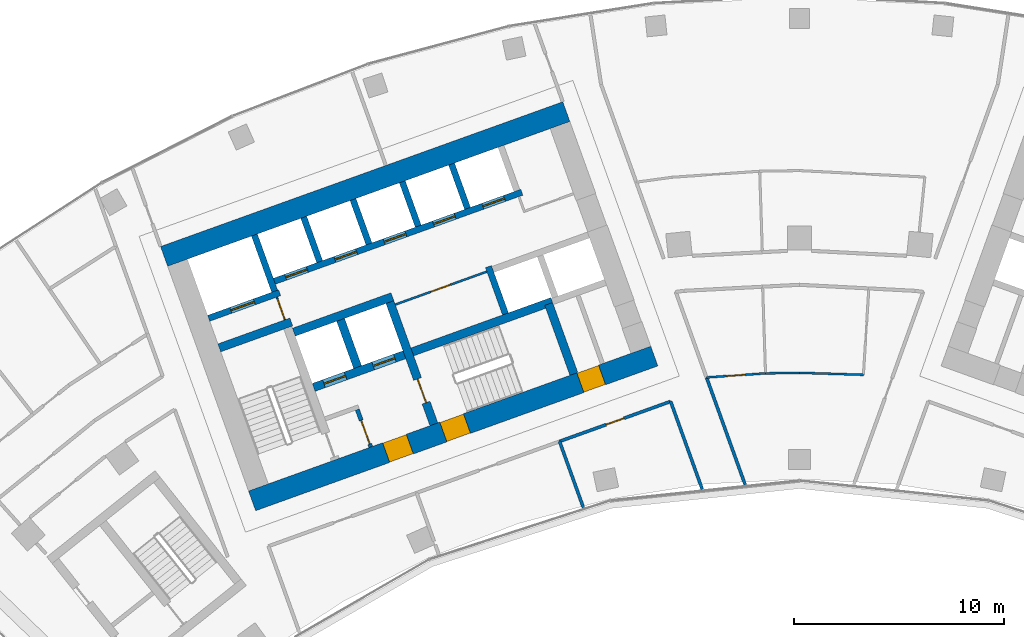
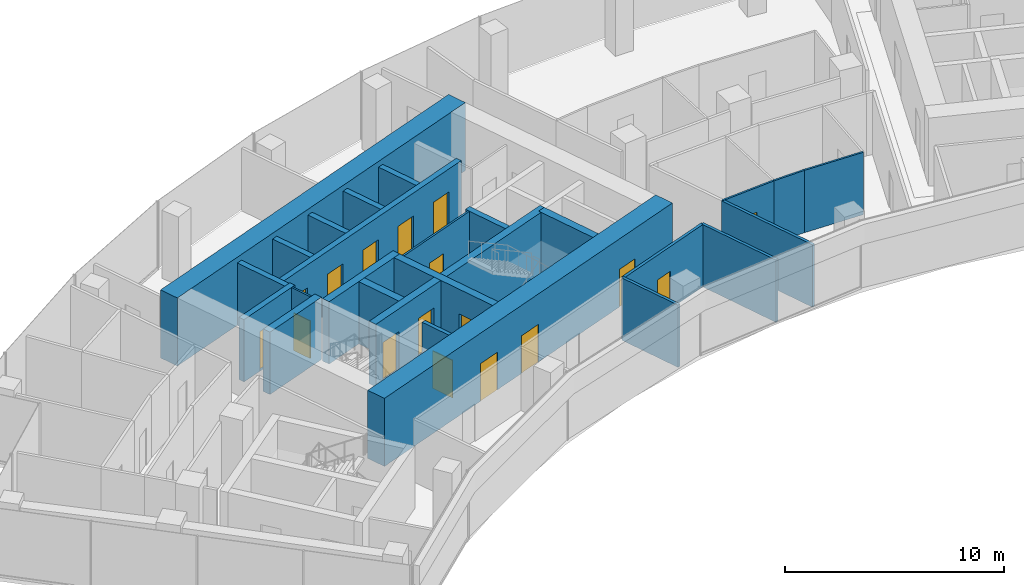
# One storey, part 13 of 19: 26 walls, 17 doors, 17 openings.
"""IFC4 building model written with IfcOpenShell, lengths in metres."""

from ifc_helpers import new_model, si_unit, direction, frame, frame_2d, origin, place, context, subcontext, project, spatial, rectangle, extrude, material, layer, layer_set, type_object, element, fill, save


model = new_model("IFC4")

# Units and contexts
model_context = context("Model", 3, precision=1e-05, world=origin(), true_north=direction((0.0, 1.0)))
body_context = subcontext(model_context, "Body", "Model", "MODEL_VIEW")
ifc_project = project(units=[si_unit("LENGTHUNIT", "METRE"), si_unit("AREAUNIT", "SQUARE_METRE"), si_unit("VOLUMEUNIT", "CUBIC_METRE"), si_unit("PLANEANGLEUNIT", "RADIAN"), si_unit("MASSUNIT", "GRAM", prefix="KILO")], contexts=[model_context])

# Site, building, storey
site_placement = place(None, origin())
site = spatial("IfcSite", under=ifc_project, at=site_placement, CompositionType="ELEMENT")
building_placement = place(site_placement, origin())
building = spatial("IfcBuilding", under=site, at=building_placement, Name="Stone Belt Terrace Tower", CompositionType="ELEMENT")
storey_placement = place(building_placement, frame((0.0, 0.0, 204.800048828125)))
storey = spatial("IfcBuildingStorey", under=building, at=storey_placement, Name="L49", CompositionType="ELEMENT", Elevation=204.800048828125)

# Wall, opening, door
ifc_material_1 = material(Name="Plasterboard partition")
ifc_layer_1 = layer(ifc_material_1, 0.10009765625)
ifc_layer_set_1 = layer_set([ifc_layer_1], Name="Core partition 100")
wall_type_1 = type_object("IfcWallType", Name="Core partition 100", PredefinedType="PARTITIONING", material=ifc_layer_set_1)
wall_1_placement = place(storey_placement, frame((-24.555908203125, 51.10400390625, 0.0), z_axis=(0.0, 0.0, 1.0), x_axis=(-0.338621735342, 0.94092258999, 0.0)))
wall_1 = element("IfcWall", 1, at=wall_1_placement, inside=storey, type_object=wall_type_1, Name="Core A wall", PredefinedType="PARTITIONING", context=body_context, shape_type="SweptSolid", body=[
    extrude(rectangle(XDim=1.14990234375, YDim=0.10009765625, at=frame_2d((0.574951171875, 0.0))), origin(), (0.0, 0.0, 1.0), 3.47998046875),
])
opening_1_placement = place(wall_1_placement, frame((0.050048828125, 0.0, 0.0)))
opening_1 = element("IfcOpeningElement", 2, at=opening_1_placement, cuts=wall_1, Name="Opening L49-C03", PredefinedType="OPENING", context=body_context, shape_type="SweptSolid", body=[
    extrude(rectangle(XDim=1.0, YDim=2.10009765625, at=frame_2d((0.5, 1.050048828125))), frame((0.0, 0.06005859375, 0.0), z_axis=(0.0, -1.0, 0.0), x_axis=(1.0, 0.0, 0.0)), (0.0, 0.0, 1.0), 0.1201171875),
])
ifc_material_2 = material(Name="Timber door leaf", Category="wood")
door_type_1 = type_object("IfcDoorType", Name="Core room door 1000", OperationType="SINGLE_SWING_LEFT", PredefinedType="DOOR", material=ifc_material_2)
door_1_placement = place(opening_1_placement, origin())
door_1 = element("IfcDoor", 3, at=door_1_placement, inside=storey, type_object=door_type_1, Name="Service lift lobby door core A", OperationType="SINGLE_SWING_RIGHT", OverallHeight=2.10009765625, OverallWidth=1.0, PredefinedType="DOOR", context=body_context, shape_type="SweptSolid", body=[
    extrude(rectangle(XDim=1.0, YDim=2.10009765625, at=frame_2d((0.5, 1.050048828125))), frame((0.0, 0.02490234375, 0.0), z_axis=(0.0, -1.0, 0.0), x_axis=(1.0, 0.0, 0.0)), (0.0, 0.0, 1.0), 0.050048828125),
])
fill(opening_1, door_1)

wall_2_placement = place(storey_placement, frame((-19.29052734375, 51.829833984375, 0.0), z_axis=(0.0, 0.0, 1.0), x_axis=(0.940930240745, 0.338600475563, 0.0)))
wall_2 = element("IfcWall", 4, at=wall_2_placement, inside=storey, type_object=wall_type_1, Name="Core A wall", PredefinedType="PARTITIONING", context=body_context, shape_type="SweptSolid", body=[
    extrude(rectangle(XDim=4.64990234375, YDim=0.10009765625, at=frame_2d((2.324951171875, 0.0))), origin(), (0.0, 0.0, 1.0), 3.47998046875),
])
opening_2_placement = place(wall_2_placement, frame((1.800048828125, 0.0, 0.0)))
opening_2 = element("IfcOpeningElement", 5, at=opening_2_placement, cuts=wall_2, Name="Opening L49-C02", PredefinedType="OPENING", context=body_context, shape_type="SweptSolid", body=[
    extrude(rectangle(XDim=1.0, YDim=2.10009765625, at=frame_2d((0.5, 1.050048828125))), frame((0.0, 0.06005859375, 0.0), z_axis=(0.0, -1.0, 0.0), x_axis=(1.0, 0.0, 0.0)), (0.0, 0.0, 1.0), 0.1201171875),
])
door_2_placement = place(opening_2_placement, origin())
door_2 = element("IfcDoor", 6, at=door_2_placement, inside=storey, type_object=door_type_1, Name="Door to Telecommunications room core A", OperationType="SINGLE_SWING_RIGHT", OverallHeight=2.10009765625, OverallWidth=1.0, PredefinedType="DOOR", context=body_context, shape_type="SweptSolid", body=[
    extrude(rectangle(XDim=1.0, YDim=2.10009765625, at=frame_2d((0.5, 1.050048828125))), frame((0.0, 0.02490234375, 0.0), z_axis=(0.0, -1.0, 0.0), x_axis=(1.0, 0.0, 0.0)), (0.0, 0.0, 1.0), 0.050048828125),
])
fill(opening_2, door_2)

# Wall, openings, doors
ifc_material_3 = material(Name="Concrete B60", Category="concrete")
ifc_layer_2 = layer(ifc_material_3, 1.0)
ifc_layer_set_2 = layer_set([ifc_layer_2], Name="Core wall 1000 B60")
wall_type_2 = type_object("IfcWallType", Name="Core wall 1000 B60", PredefinedType="SHEAR", material=ifc_layer_set_2)
wall_3_placement = place(storey_placement, frame((-26.122314453125, 42.462890625, 0.0), z_axis=(0.0, 0.0, 1.0), x_axis=(0.940921428504, 0.338624962727, 0.0)))
wall_3 = element("IfcWall", 7, at=wall_3_placement, inside=storey, type_object=wall_type_2, Name="Core A wall concave L49", PredefinedType="SHEAR", context=body_context, shape_type="SweptSolid", body=[
    extrude(rectangle(XDim=20.400146484375, YDim=1.0, at=frame_2d((10.2001953125, 0.0))), origin(), (0.0, 0.0, 1.0), 3.800048828125),
])
opening_3_placement = place(wall_3_placement, frame((6.800048828125, 0.0, 0.0)))
opening_3 = element("IfcOpeningElement", 8, at=opening_3_placement, cuts=wall_3, Name="Opening L49-C07", PredefinedType="OPENING", context=body_context, shape_type="SweptSolid", body=[
    extrude(rectangle(XDim=1.199951171875, YDim=2.10009765625, at=frame_2d((0.60009765625, 1.050048828125))), frame((0.0, 0.510009765625, 0.0), z_axis=(0.0, -1.0, 0.0), x_axis=(1.0, 0.0, 0.0)), (0.0, 0.0, 1.0), 1.02001953125),
])
opening_4_placement = place(wall_3_placement, frame((9.699951171875, 0.0, 0.0)))
opening_4 = element("IfcOpeningElement", 9, at=opening_4_placement, cuts=wall_3, Name="Opening L49-C09", PredefinedType="OPENING", context=body_context, shape_type="SweptSolid", body=[
    extrude(rectangle(XDim=1.199951171875, YDim=2.10009765625, at=frame_2d((0.60009765625, 1.050048828125))), frame((0.0, 0.510009765625, 0.0), z_axis=(0.0, -1.0, 0.0), x_axis=(1.0, 0.0, 0.0)), (0.0, 0.0, 1.0), 1.02001953125),
])
opening_5_placement = place(wall_3_placement, frame((16.64990234375, 0.0, 0.0)))
opening_5 = element("IfcOpeningElement", 10, at=opening_5_placement, cuts=wall_3, Name="Opening L49-C11", PredefinedType="OPENING", context=body_context, shape_type="SweptSolid", body=[
    extrude(rectangle(XDim=1.10009765625, YDim=2.10009765625, at=frame_2d((0.550048828125, 1.050048828125))), frame((0.0, 0.510009765625, 0.0), z_axis=(0.0, -1.0, 0.0), x_axis=(1.0, 0.0, 0.0)), (0.0, 0.0, 1.0), 1.02001953125),
])
door_type_2 = type_object("IfcDoorType", Name="Core room door 1100", OperationType="SINGLE_SWING_LEFT", PredefinedType="DOOR", material=ifc_material_2)
door_3_placement = place(opening_5_placement, origin())
door_3 = element("IfcDoor", 11, at=door_3_placement, inside=storey, type_object=door_type_2, Name="Door to Communications riser room core A", OperationType="SINGLE_SWING_RIGHT", OverallHeight=2.10009765625, OverallWidth=1.10009765625, PredefinedType="DOOR", context=body_context, shape_type="SweptSolid", body=[
    extrude(rectangle(XDim=1.10009765625, YDim=2.10009765625, at=frame_2d((0.550048828125, 1.050048828125))), frame((0.0, 0.47998046875, 0.0), z_axis=(0.0, -1.0, 0.0), x_axis=(1.0, 0.0, 0.0)), (0.0, 0.0, 1.0), 0.9599609375),
])
fill(opening_5, door_3)
ifc_material_4 = material(Name="Steel door leaf", Category="steel")
door_type_3 = type_object("IfcDoorType", Name="Fire-fighting lobby door 1200", OperationType="SINGLE_SWING_LEFT", PredefinedType="DOOR", material=ifc_material_4)
door_4_placement = place(opening_3_placement, origin())
door_4 = element("IfcDoor", 12, at=door_4_placement, inside=storey, type_object=door_type_3, Name="Fire-fighting lobby door core A", OperationType="SINGLE_SWING_RIGHT", OverallHeight=2.10009765625, OverallWidth=1.199951171875, PredefinedType="DOOR", context=body_context, shape_type="SweptSolid", body=[
    extrude(rectangle(XDim=1.199951171875, YDim=2.10009765625, at=frame_2d((0.60009765625, 1.050048828125))), frame((0.0, 0.47998046875, 0.0), z_axis=(0.0, -1.0, 0.0), x_axis=(1.0, 0.0, 0.0)), (0.0, 0.0, 1.0), 0.9599609375),
])
fill(opening_3, door_4)
door_type_4 = type_object("IfcDoorType", Name="Stair door 1200", OperationType="SINGLE_SWING_LEFT", PredefinedType="DOOR", material=ifc_material_4)
door_5_placement = place(opening_4_placement, origin())
door_5 = element("IfcDoor", 13, at=door_5_placement, inside=storey, type_object=door_type_4, Name="Stair 2 exit door core A", OperationType="SINGLE_SWING_LEFT", OverallHeight=2.10009765625, OverallWidth=1.199951171875, PredefinedType="DOOR", context=body_context, shape_type="SweptSolid", body=[
    extrude(rectangle(XDim=1.199951171875, YDim=2.10009765625, at=frame_2d((0.60009765625, 1.050048828125))), frame((0.0, 0.47998046875, 0.0), z_axis=(0.0, -1.0, 0.0), x_axis=(1.0, 0.0, 0.0)), (0.0, 0.0, 1.0), 0.9599609375),
])
fill(opening_4, door_5)

# Walls
wall_4_placement = place(storey_placement, frame((-30.3212890625, 54.13037109375, 0.0), z_axis=(0.0, 0.0, 1.0), x_axis=(0.940921428504, 0.338624962727, 0.0)))
element("IfcWall", 14, at=wall_4_placement, inside=storey, type_object=wall_type_2, Name="Core A wall convex L49", PredefinedType="SHEAR", context=body_context, shape_type="SweptSolid", body=[
    extrude(rectangle(XDim=20.400146484375, YDim=1.0, at=frame_2d((10.2001953125, 0.0))), origin(), (0.0, 0.0, 1.0), 3.800048828125),
])
ifc_material_5 = material(Name="Concrete B80", Category="concrete")
ifc_layer_3 = layer(ifc_material_5, 0.39990234375)
ifc_layer_set_3 = layer_set([ifc_layer_3], Name="Fire-fighting lift shaft wall 400")
wall_type_3 = type_object("IfcWallType", Name="Fire-fighting lift shaft wall 400", PredefinedType="SHEAR", material=ifc_layer_set_3)
wall_5_placement = place(storey_placement, frame((-24.130615234375, 50.512939453125, 0.0), z_axis=(0.0, 0.0, 1.0), x_axis=(0.94091168377, 0.338652038744, 0.0)))
element("IfcWall", 15, at=wall_5_placement, inside=storey, type_object=wall_type_3, Name="Core A wall", PredefinedType="SHEAR", context=body_context, shape_type="SweptSolid", body=[
    extrude(rectangle(XDim=5.000244140625, YDim=0.39990234375, at=frame_2d((2.5, 0.0))), origin(), (0.0, 0.0, 1.0), 3.47998046875),
])
wall_6_placement = place(storey_placement, frame((-21.0859375, 48.845458984375, 0.0), z_axis=(0.0, 0.0, 1.0), x_axis=(-0.338629416206, 0.940919825745, 0.0)))
element("IfcWall", 16, at=wall_6_placement, inside=storey, type_object=wall_type_3, Name="Core A wall", PredefinedType="SHEAR", context=body_context, shape_type="SweptSolid", body=[
    extrude(rectangle(XDim=2.400146484375, YDim=0.39990234375, at=frame_2d((1.2001953125, 0.0))), origin(), (0.0, 0.0, 1.0), 3.47998046875),
])

# Wall, opening, door
ifc_layer_4 = layer(ifc_material_5, 0.300048828125)
ifc_layer_set_4 = layer_set([ifc_layer_4], Name="Lift shaft wall 300")
wall_type_4 = type_object("IfcWallType", Name="Lift shaft wall 300", PredefinedType="SHEAR", material=ifc_layer_set_4)
wall_7_placement = place(storey_placement, frame((-28.195068359375, 51.17578125, 0.0), z_axis=(0.0, 0.0, 1.0), x_axis=(0.940901243567, 0.338681044427, 0.0)))
wall_7 = element("IfcWall", 17, at=wall_7_placement, inside=storey, type_object=wall_type_4, Name="Core A wall", PredefinedType="SHEAR", context=body_context, shape_type="SweptSolid", body=[
    extrude(rectangle(XDim=3.599853515625, YDim=0.300048828125, at=frame_2d((1.7998046875, 0.0))), origin(), (0.0, 0.0, 1.0), 3.47998046875),
])
opening_6_placement = place(wall_7_placement, frame((1.1201171875, 0.0, 0.0)))
opening_6 = element("IfcOpeningElement", 18, at=opening_6_placement, cuts=wall_7, Name="Opening L49-LD08", PredefinedType="OPENING", context=body_context, shape_type="SweptSolid", body=[
    extrude(rectangle(XDim=1.199951171875, YDim=2.199951171875, at=frame_2d((0.60009765625, 1.10009765625))), frame((0.0, 0.159912109375, 0.0), z_axis=(0.0, -1.0, 0.0), x_axis=(1.0, 0.0, 0.0)), (0.0, 0.0, 1.0), 0.320068359375),
])
ifc_material_6 = material(Name="Stainless steel door leaf", Category="steel")
door_type_5 = type_object("IfcDoorType", Name="Landing door 1200", OperationType="SLIDING_TO_LEFT", PredefinedType="DOOR", material=ifc_material_6)
door_6_placement = place(opening_6_placement, origin())
door_6 = element("IfcDoor", 19, at=door_6_placement, inside=storey, type_object=door_type_5, Name="Landing door SV1 core A", OperationType="SLIDING_TO_LEFT", OverallHeight=2.199951171875, OverallWidth=1.199951171875, PredefinedType="DOOR", context=body_context, shape_type="SweptSolid", body=[
    extrude(rectangle(XDim=1.199951171875, YDim=2.199951171875, at=frame_2d((0.60009765625, 1.10009765625))), frame((0.0, 0.02490234375, 0.0), z_axis=(0.0, -1.0, 0.0), x_axis=(1.0, 0.0, 0.0)), (0.0, 0.0, 1.0), 0.050048828125),
])
fill(opening_6, door_6)

# Wall
wall_8_placement = place(storey_placement, frame((-25.046875, 52.46826171875, 0.0), z_axis=(0.0, 0.0, 1.0), x_axis=(-0.338549588058, 0.940948551423, 0.0)))
element("IfcWall", 20, at=wall_8_placement, inside=storey, type_object=wall_type_4, Name="Core A wall", PredefinedType="SHEAR", context=body_context, shape_type="SweptSolid", body=[
    extrude(rectangle(XDim=2.849853515625, YDim=0.300048828125, at=frame_2d((1.4248046875, 0.0))), origin(), (0.0, 0.0, 1.0), 3.47998046875),
])

# Wall, openings, doors
wall_9_placement = place(storey_placement, frame((-25.05810546875, 52.9423828125, 0.0), z_axis=(0.0, 0.0, 1.0), x_axis=(0.940921381676, 0.338625092847, 0.0)))
wall_9 = element("IfcWall", 21, at=wall_9_placement, inside=storey, type_object=wall_type_4, Name="Core A wall", PredefinedType="SHEAR", context=body_context, shape_type="SweptSolid", body=[
    extrude(rectangle(XDim=12.550048828125, YDim=0.300048828125, at=frame_2d((6.27490234375, 0.0))), origin(), (0.0, 0.0, 1.0), 3.47998046875),
])
opening_7_placement = place(wall_9_placement, frame((0.570068359375, 0.0, 0.0)))
opening_7 = element("IfcOpeningElement", 22, at=opening_7_placement, cuts=wall_9, Name="Opening L49-LD01", PredefinedType="OPENING", context=body_context, shape_type="SweptSolid", body=[
    extrude(rectangle(XDim=1.10009765625, YDim=2.199951171875, at=frame_2d((0.550048828125, 1.10009765625))), frame((0.0, 0.159912109375, 0.0), z_axis=(0.0, -1.0, 0.0), x_axis=(1.0, 0.0, 0.0)), (0.0, 0.0, 1.0), 0.320068359375),
])
opening_8_placement = place(wall_9_placement, frame((3.070068359375, 0.0, 0.0)))
opening_8 = element("IfcOpeningElement", 23, at=opening_8_placement, cuts=wall_9, Name="Opening L49-LD02", PredefinedType="OPENING", context=body_context, shape_type="SweptSolid", body=[
    extrude(rectangle(XDim=1.10009765625, YDim=2.199951171875, at=frame_2d((0.550048828125, 1.10009765625))), frame((0.0, 0.159912109375, 0.0), z_axis=(0.0, -1.0, 0.0), x_axis=(1.0, 0.0, 0.0)), (0.0, 0.0, 1.0), 0.320068359375),
])
opening_9_placement = place(wall_9_placement, frame((5.570068359375, 0.0, 0.0)))
opening_9 = element("IfcOpeningElement", 24, at=opening_9_placement, cuts=wall_9, Name="Opening L49-LD03", PredefinedType="OPENING", context=body_context, shape_type="SweptSolid", body=[
    extrude(rectangle(XDim=1.10009765625, YDim=2.199951171875, at=frame_2d((0.550048828125, 1.10009765625))), frame((0.0, 0.159912109375, 0.0), z_axis=(0.0, -1.0, 0.0), x_axis=(1.0, 0.0, 0.0)), (0.0, 0.0, 1.0), 0.320068359375),
])
opening_10_placement = place(wall_9_placement, frame((8.070068359375, 0.0, 0.0)))
opening_10 = element("IfcOpeningElement", 25, at=opening_10_placement, cuts=wall_9, Name="Opening L49-LD04", PredefinedType="OPENING", context=body_context, shape_type="SweptSolid", body=[
    extrude(rectangle(XDim=1.10009765625, YDim=2.199951171875, at=frame_2d((0.550048828125, 1.10009765625))), frame((0.0, 0.159912109375, 0.0), z_axis=(0.0, -1.0, 0.0), x_axis=(1.0, 0.0, 0.0)), (0.0, 0.0, 1.0), 0.320068359375),
])
opening_11_placement = place(wall_9_placement, frame((10.570068359375, 0.0, 0.0)))
opening_11 = element("IfcOpeningElement", 26, at=opening_11_placement, cuts=wall_9, Name="Opening L49-LD05", PredefinedType="OPENING", context=body_context, shape_type="SweptSolid", body=[
    extrude(rectangle(XDim=1.10009765625, YDim=2.199951171875, at=frame_2d((0.550048828125, 1.10009765625))), frame((0.0, 0.159912109375, 0.0), z_axis=(0.0, -1.0, 0.0), x_axis=(1.0, 0.0, 0.0)), (0.0, 0.0, 1.0), 0.320068359375),
])
door_type_6 = type_object("IfcDoorType", Name="Landing door 1100", OperationType="SLIDING_TO_LEFT", PredefinedType="DOOR", material=ifc_material_6)
door_7_placement = place(opening_7_placement, origin())
door_7 = element("IfcDoor", 27, at=door_7_placement, inside=storey, type_object=door_type_6, Name="Landing door MR1 core A", OperationType="SLIDING_TO_LEFT", OverallHeight=2.199951171875, OverallWidth=1.10009765625, PredefinedType="DOOR", context=body_context, shape_type="SweptSolid", body=[
    extrude(rectangle(XDim=1.10009765625, YDim=2.199951171875, at=frame_2d((0.550048828125, 1.10009765625))), frame((0.0, 0.02490234375, 0.0), z_axis=(0.0, -1.0, 0.0), x_axis=(1.0, 0.0, 0.0)), (0.0, 0.0, 1.0), 0.050048828125),
])
fill(opening_7, door_7)
door_8_placement = place(opening_8_placement, origin())
door_8 = element("IfcDoor", 28, at=door_8_placement, inside=storey, type_object=door_type_6, Name="Landing door MR2 core A", OperationType="SLIDING_TO_LEFT", OverallHeight=2.199951171875, OverallWidth=1.10009765625, PredefinedType="DOOR", context=body_context, shape_type="SweptSolid", body=[
    extrude(rectangle(XDim=1.10009765625, YDim=2.199951171875, at=frame_2d((0.550048828125, 1.10009765625))), frame((0.0, 0.02490234375, 0.0), z_axis=(0.0, -1.0, 0.0), x_axis=(1.0, 0.0, 0.0)), (0.0, 0.0, 1.0), 0.050048828125),
])
fill(opening_8, door_8)
door_9_placement = place(opening_9_placement, origin())
door_9 = element("IfcDoor", 29, at=door_9_placement, inside=storey, type_object=door_type_6, Name="Landing door MR3 core A", OperationType="SLIDING_TO_LEFT", OverallHeight=2.199951171875, OverallWidth=1.10009765625, PredefinedType="DOOR", context=body_context, shape_type="SweptSolid", body=[
    extrude(rectangle(XDim=1.10009765625, YDim=2.199951171875, at=frame_2d((0.550048828125, 1.10009765625))), frame((0.0, 0.02490234375, 0.0), z_axis=(0.0, -1.0, 0.0), x_axis=(1.0, 0.0, 0.0)), (0.0, 0.0, 1.0), 0.050048828125),
])
fill(opening_9, door_9)
door_10_placement = place(opening_10_placement, origin())
door_10 = element("IfcDoor", 30, at=door_10_placement, inside=storey, type_object=door_type_6, Name="Landing door MR4 core A", OperationType="SLIDING_TO_LEFT", OverallHeight=2.199951171875, OverallWidth=1.10009765625, PredefinedType="DOOR", context=body_context, shape_type="SweptSolid", body=[
    extrude(rectangle(XDim=1.10009765625, YDim=2.199951171875, at=frame_2d((0.550048828125, 1.10009765625))), frame((0.0, 0.02490234375, 0.0), z_axis=(0.0, -1.0, 0.0), x_axis=(1.0, 0.0, 0.0)), (0.0, 0.0, 1.0), 0.050048828125),
])
fill(opening_10, door_10)
door_11_placement = place(opening_11_placement, origin())
door_11 = element("IfcDoor", 31, at=door_11_placement, inside=storey, type_object=door_type_6, Name="Landing door MR5 core A", OperationType="SLIDING_TO_LEFT", OverallHeight=2.199951171875, OverallWidth=1.10009765625, PredefinedType="DOOR", context=body_context, shape_type="SweptSolid", body=[
    extrude(rectangle(XDim=1.10009765625, YDim=2.199951171875, at=frame_2d((0.550048828125, 1.10009765625))), frame((0.0, 0.02490234375, 0.0), z_axis=(0.0, -1.0, 0.0), x_axis=(1.0, 0.0, 0.0)), (0.0, 0.0, 1.0), 0.050048828125),
])
fill(opening_11, door_11)

# Walls
wall_10_placement = place(storey_placement, frame((-22.897705078125, 53.87939453125, 0.0), z_axis=(0.0, 0.0, 1.0), x_axis=(-0.338535034312, 0.940953787677, 0.0)))
element("IfcWall", 32, at=wall_10_placement, inside=storey, type_object=wall_type_4, Name="Core A wall", PredefinedType="SHEAR", context=body_context, shape_type="SweptSolid", body=[
    extrude(rectangle(XDim=2.25, YDim=0.300048828125, at=frame_2d((1.125, 0.0))), origin(), (0.0, 0.0, 1.0), 3.47998046875),
])
wall_11_placement = place(storey_placement, frame((-20.54541015625, 54.72607421875, 0.0), z_axis=(0.0, 0.0, 1.0), x_axis=(-0.338569601369, 0.940941350472, 0.0)))
element("IfcWall", 33, at=wall_11_placement, inside=storey, type_object=wall_type_4, Name="Core A wall", PredefinedType="SHEAR", context=body_context, shape_type="SweptSolid", body=[
    extrude(rectangle(XDim=2.249755859375, YDim=0.300048828125, at=frame_2d((1.125, 0.0))), origin(), (0.0, 0.0, 1.0), 3.47998046875),
])
wall_12_placement = place(storey_placement, frame((-18.193115234375, 55.572509765625, 0.0), z_axis=(0.0, 0.0, 1.0), x_axis=(-0.338535034312, 0.940953787677, 0.0)))
element("IfcWall", 34, at=wall_12_placement, inside=storey, type_object=wall_type_4, Name="Core A wall", PredefinedType="SHEAR", context=body_context, shape_type="SweptSolid", body=[
    extrude(rectangle(XDim=2.25, YDim=0.300048828125, at=frame_2d((1.125, 0.0))), origin(), (0.0, 0.0, 1.0), 3.47998046875),
])
wall_13_placement = place(storey_placement, frame((-14.029052734375, 51.38525390625, 0.0), z_axis=(0.0, 0.0, 1.0), x_axis=(-0.338661829791, 0.940908159728, 0.0)))
element("IfcWall", 35, at=wall_13_placement, inside=storey, type_object=wall_type_4, Name="Core A wall", PredefinedType="SHEAR", context=body_context, shape_type="SweptSolid", body=[
    extrude(rectangle(XDim=2.39990234375, YDim=0.300048828125, at=frame_2d((1.199951171875, 0.0))), origin(), (0.0, 0.0, 1.0), 3.47998046875),
])
wall_14_placement = place(storey_placement, frame((-15.8408203125, 56.419189453125, 0.0), z_axis=(0.0, 0.0, 1.0), x_axis=(-0.338569601369, 0.940941350472, 0.0)))
element("IfcWall", 36, at=wall_14_placement, inside=storey, type_object=wall_type_4, Name="Core A wall", PredefinedType="SHEAR", context=body_context, shape_type="SweptSolid", body=[
    extrude(rectangle(XDim=2.249755859375, YDim=0.300048828125, at=frame_2d((1.125, 0.0))), origin(), (0.0, 0.0, 1.0), 3.47998046875),
])

# Wall, opening, door
ifc_material_7 = material(Name="Gypsum board partition")
ifc_layer_5 = layer(ifc_material_7, 0.10009765625)
ifc_layer_set_5 = layer_set([ifc_layer_5], Name="PARTITION 100")
wall_type_5 = type_object("IfcWallType", Name="PARTITION 100", PredefinedType="PARTITIONING", material=ifc_layer_set_5)
wall_15_placement = place(storey_placement, frame((-4.43505859375, 48.35302734375, 0.0), z_axis=(0.0, 0.0, 1.0), x_axis=(0.997607542548, 0.069131693538, 0.0)))
wall_15 = element("IfcWall", 37, at=wall_15_placement, inside=storey, type_object=wall_type_5, Name="L49/wall/i081", PredefinedType="PARTITIONING", context=body_context, shape_type="SweptSolid", body=[
    extrude(rectangle(XDim=2.82177734375, YDim=0.10009765625, at=frame_2d((1.410888671875, 0.0))), origin(), (0.0, 0.0, 1.0), 3.47998046875),
])
opening_12_placement = place(wall_15_placement, frame((0.9609375, 0.0, 0.0)))
opening_12 = element("IfcOpeningElement", 38, at=opening_12_placement, cuts=wall_15, Name="Opening D-D2-23", PredefinedType="OPENING", context=body_context, shape_type="SweptSolid", body=[
    extrude(rectangle(XDim=0.89990234375, YDim=2.10009765625, at=frame_2d((0.449951171875, 1.050048828125))), frame((0.0, 0.06005859375, 0.0), z_axis=(0.0, -1.0, 0.0), x_axis=(1.0, 0.0, 0.0)), (0.0, 0.0, 1.0), 0.1201171875),
])
door_type_7 = type_object("IfcDoorType", Name="OFFICE DOOR 900 X 2100", OperationType="NOTDEFINED", PredefinedType="DOOR", material=ifc_material_2)
door_12_placement = place(opening_12_placement, origin())
door_12 = element("IfcDoor", 39, at=door_12_placement, inside=storey, type_object=door_type_7, Name="L49/door/i23", OperationType="SINGLE_SWING_RIGHT", OverallHeight=2.10009765625, OverallWidth=0.89990234375, PredefinedType="DOOR", context=body_context, shape_type="SweptSolid", body=[
    extrude(rectangle(XDim=0.89990234375, YDim=2.10009765625, at=frame_2d((0.449951171875, 1.050048828125))), frame((0.0, 0.02490234375, 0.0), z_axis=(0.0, -1.0, 0.0), x_axis=(1.0, 0.0, 0.0)), (0.0, 0.0, 1.0), 0.050048828125),
])
fill(opening_12, door_12)

# Walls
wall_16_placement = place(storey_placement, frame((-1.6201171875, 48.548095703125, 0.0), z_axis=(0.0, 0.0, 1.0), x_axis=(0.999862642261, 0.016573973877, 0.0)))
element("IfcWall", 40, at=wall_16_placement, inside=storey, type_object=wall_type_5, Name="L49/wall/i082", PredefinedType="PARTITIONING", context=body_context, shape_type="SweptSolid", body=[
    extrude(rectangle(XDim=1.620361328125, YDim=0.10009765625, at=frame_2d((0.81005859375, 0.0))), origin(), (0.0, 0.0, 1.0), 3.47998046875),
])
wall_17_placement = place(storey_placement, frame((0.0, 48.574951171875, 0.0), z_axis=(0.0, 0.0, 1.0), x_axis=(0.999505892336, -0.031432008937, 0.0)))
element("IfcWall", 41, at=wall_17_placement, inside=storey, type_object=wall_type_5, Name="L49/wall/i083", PredefinedType="PARTITIONING", context=body_context, shape_type="SweptSolid", body=[
    extrude(rectangle(XDim=3.052490234375, YDim=0.10009765625, at=frame_2d((1.5263671875, 0.0))), origin(), (0.0, 0.0, 1.0), 3.47998046875),
])
ifc_layer_6 = layer(ifc_material_7, 0.14990234375)
ifc_layer_set_6 = layer_set([ifc_layer_6], Name="PARTITION 150 EI 60")
wall_type_6 = type_object("IfcWallType", Name="PARTITION 150 EI 60", PredefinedType="PARTITIONING", material=ifc_layer_set_6)
wall_18_placement = place(storey_placement, frame((-4.638427734375, 43.012451171875, 0.0), z_axis=(0.0, 0.0, 1.0), x_axis=(-0.338583902482, 0.940936204522, 0.0)))
element("IfcWall", 42, at=wall_18_placement, inside=storey, type_object=wall_type_6, Name="L49/wall/i008", PredefinedType="PARTITIONING", context=body_context, shape_type="SweptSolid", body=[
    extrude(rectangle(XDim=4.464111328125, YDim=0.14990234375, at=frame_2d((2.23193359375, 0.0))), origin(), (0.0, 0.0, 1.0), 3.47998046875),
])
wall_19_placement = place(storey_placement, frame((-4.43701171875, 48.35888671875, 0.0), z_axis=(0.0, 0.0, 1.0), x_axis=(0.338675079684, -0.940903390578, 0.0)))
element("IfcWall", 43, at=wall_19_placement, inside=storey, type_object=wall_type_6, Name="L49/wall/i010", PredefinedType="PARTITIONING", context=body_context, shape_type="SweptSolid", body=[
    extrude(rectangle(XDim=5.453369140625, YDim=0.14990234375, at=frame_2d((2.7265625, 0.0))), origin(), (0.0, 0.0, 1.0), 3.47998046875),
])

# Wall, opening, door
wall_20_placement = place(storey_placement, frame((-6.14892578125, 47.20703125, 0.0), z_axis=(0.0, 0.0, 1.0), x_axis=(-0.940959690795, -0.338518626223, 0.0)))
wall_20 = element("IfcWall", 44, at=wall_20_placement, inside=storey, type_object=wall_type_6, Name="L49/wall/i017", PredefinedType="PARTITIONING", context=body_context, shape_type="SweptSolid", body=[
    extrude(rectangle(XDim=5.63916015625, YDim=0.14990234375, at=frame_2d((2.819580078125, 0.0))), origin(), (0.0, 0.0, 1.0), 3.47998046875),
])
opening_13_placement = place(wall_20_placement, frame((2.369384765625, 0.0, 0.0)))
opening_13 = element("IfcOpeningElement", 45, at=opening_13_placement, cuts=wall_20, Name="Opening D-D2-03", PredefinedType="OPENING", context=body_context, shape_type="SweptSolid", body=[
    extrude(rectangle(XDim=0.89990234375, YDim=2.10009765625, at=frame_2d((0.449951171875, 1.050048828125))), frame((0.0, 0.0849609375, 0.0), z_axis=(0.0, -1.0, 0.0), x_axis=(1.0, 0.0, 0.0)), (0.0, 0.0, 1.0), 0.169921875),
])
door_13_placement = place(opening_13_placement, origin())
door_13 = element("IfcDoor", 46, at=door_13_placement, inside=storey, type_object=door_type_7, Name="L49/door/i03", OperationType="SINGLE_SWING_RIGHT", OverallHeight=2.10009765625, OverallWidth=0.89990234375, PredefinedType="DOOR", context=body_context, shape_type="SweptSolid", body=[
    extrude(rectangle(XDim=0.89990234375, YDim=2.10009765625, at=frame_2d((0.449951171875, 1.050048828125))), frame((0.0, 0.02490234375, 0.0), z_axis=(0.0, -1.0, 0.0), x_axis=(1.0, 0.0, 0.0)), (0.0, 0.0, 1.0), 0.050048828125),
])
fill(opening_13, door_13)

# Wall
wall_21_placement = place(storey_placement, frame((-11.448974609375, 45.299072265625, 0.0), z_axis=(0.0, 0.0, 1.0), x_axis=(0.338613969627, -0.9409253847, 0.0)))
element("IfcWall", 47, at=wall_21_placement, inside=storey, type_object=wall_type_6, Name="L49/wall/i020", PredefinedType="PARTITIONING", context=body_context, shape_type="SweptSolid", body=[
    extrude(rectangle(XDim=3.35986328125, YDim=0.14990234375, at=frame_2d((1.679931640625, 0.0))), origin(), (0.0, 0.0, 1.0), 3.47998046875),
])

# Wall, opening, door
ifc_material_8 = material(Name="Concrete masonry block", Category="masonry")
ifc_layer_7 = layer(ifc_material_8, 0.199951171875)
ifc_layer_set_7 = layer_set([ifc_layer_7], Name="Rated lobby wall 200")
wall_type_7 = type_object("IfcWallType", Name="Rated lobby wall 200", PredefinedType="PARTITIONING", material=ifc_layer_set_7)
wall_22_placement = place(storey_placement, frame((-20.4580078125, 45.032958984375, 0.0), z_axis=(0.0, 0.0, 1.0), x_axis=(-0.338573865316, 0.940939816208, 0.0)))
wall_22 = element("IfcWall", 48, at=wall_22_placement, inside=storey, type_object=wall_type_7, Name="Core A wall", PredefinedType="PARTITIONING", context=body_context, shape_type="SweptSolid", body=[
    extrude(rectangle(XDim=1.900146484375, YDim=0.199951171875, at=frame_2d((0.9501953125, 0.0))), origin(), (0.0, 0.0, 1.0), 3.47998046875),
])
opening_14_placement = place(wall_22_placement, frame((0.14990234375, 0.0, 0.0)))
opening_14 = element("IfcOpeningElement", 49, at=opening_14_placement, cuts=wall_22, Name="Opening L49-C06", PredefinedType="OPENING", context=body_context, shape_type="SweptSolid", body=[
    extrude(rectangle(XDim=1.199951171875, YDim=2.10009765625, at=frame_2d((0.60009765625, 1.050048828125))), frame((0.0, 0.10986328125, 0.0), z_axis=(0.0, -1.0, 0.0), x_axis=(1.0, 0.0, 0.0)), (0.0, 0.0, 1.0), 0.219970703125),
])
door_14_placement = place(opening_14_placement, origin())
door_14 = element("IfcDoor", 50, at=door_14_placement, inside=storey, type_object=door_type_4, Name="Stair airlock door core A", OperationType="SINGLE_SWING_RIGHT", OverallHeight=2.10009765625, OverallWidth=1.199951171875, PredefinedType="DOOR", context=body_context, shape_type="SweptSolid", body=[
    extrude(rectangle(XDim=1.199951171875, YDim=2.10009765625, at=frame_2d((0.60009765625, 1.050048828125))), frame((0.0, 0.02490234375, 0.0), z_axis=(0.0, -1.0, 0.0), x_axis=(1.0, 0.0, 0.0)), (0.0, 0.0, 1.0), 0.050048828125),
])
fill(opening_14, door_14)

# Wall
ifc_layer_8 = layer(ifc_material_5, 0.39990234375)
ifc_layer_set_8 = layer_set([ifc_layer_8], Name="Stair enclosure wall 400")
wall_type_8 = type_object("IfcWallType", Name="Stair enclosure wall 400", PredefinedType="SHEAR", material=ifc_layer_set_8)
wall_23_placement = place(storey_placement, frame((-27.687255859375, 49.764404296875, 0.0), z_axis=(0.0, 0.0, 1.0), x_axis=(0.940918954884, 0.338631835981, 0.0)))
element("IfcWall", 51, at=wall_23_placement, inside=storey, type_object=wall_type_8, Name="Core A wall", PredefinedType="SHEAR", context=body_context, shape_type="SweptSolid", body=[
    extrude(rectangle(XDim=3.650146484375, YDim=0.39990234375, at=frame_2d((1.8251953125, 0.0))), origin(), (0.0, 0.0, 1.0), 3.47998046875),
])

# Wall, openings, doors
wall_24_placement = place(storey_placement, frame((-23.182373046875, 47.87841796875, 0.0), z_axis=(0.0, 0.0, 1.0), x_axis=(0.940921101762, 0.338625870628, 0.0)))
wall_24 = element("IfcWall", 52, at=wall_24_placement, inside=storey, type_object=wall_type_8, Name="Core A wall", PredefinedType="SHEAR", context=body_context, shape_type="SweptSolid", body=[
    extrude(rectangle(XDim=12.10009765625, YDim=0.39990234375, at=frame_2d((6.050048828125, 0.0))), origin(), (0.0, 0.0, 1.0), 3.47998046875),
])
opening_15_placement = place(wall_24_placement, frame((0.52001953125, 0.0, 0.0)))
opening_15 = element("IfcOpeningElement", 53, at=opening_15_placement, cuts=wall_24, Name="Opening L49-LD06", PredefinedType="OPENING", context=body_context, shape_type="SweptSolid", body=[
    extrude(rectangle(XDim=1.10009765625, YDim=2.199951171875, at=frame_2d((0.550048828125, 1.10009765625))), frame((0.0, 0.2099609375, 0.0), z_axis=(0.0, -1.0, 0.0), x_axis=(1.0, 0.0, 0.0)), (0.0, 0.0, 1.0), 0.419921875),
])
opening_16_placement = place(wall_24_placement, frame((3.02001953125, 0.0, 0.0)))
opening_16 = element("IfcOpeningElement", 54, at=opening_16_placement, cuts=wall_24, Name="Opening L49-LD07", PredefinedType="OPENING", context=body_context, shape_type="SweptSolid", body=[
    extrude(rectangle(XDim=1.10009765625, YDim=2.199951171875, at=frame_2d((0.550048828125, 1.10009765625))), frame((0.0, 0.2099609375, 0.0), z_axis=(0.0, -1.0, 0.0), x_axis=(1.0, 0.0, 0.0)), (0.0, 0.0, 1.0), 0.419921875),
])
door_15_placement = place(opening_15_placement, origin())
door_15 = element("IfcDoor", 55, at=door_15_placement, inside=storey, type_object=door_type_6, Name="Landing door FF1 core A", OperationType="SLIDING_TO_LEFT", OverallHeight=2.199951171875, OverallWidth=1.10009765625, PredefinedType="DOOR", context=body_context, shape_type="SweptSolid", body=[
    extrude(rectangle(XDim=1.10009765625, YDim=2.199951171875, at=frame_2d((0.550048828125, 1.10009765625))), frame((0.0, 0.02490234375, 0.0), z_axis=(0.0, -1.0, 0.0), x_axis=(1.0, 0.0, 0.0)), (0.0, 0.0, 1.0), 0.050048828125),
])
fill(opening_15, door_15)
door_16_placement = place(opening_16_placement, origin())
door_16 = element("IfcDoor", 56, at=door_16_placement, inside=storey, type_object=door_type_6, Name="Landing door FF2 core A", OperationType="SLIDING_TO_LEFT", OverallHeight=2.199951171875, OverallWidth=1.10009765625, PredefinedType="DOOR", context=body_context, shape_type="SweptSolid", body=[
    extrude(rectangle(XDim=1.10009765625, YDim=2.199951171875, at=frame_2d((0.550048828125, 1.10009765625))), frame((0.0, 0.02490234375, 0.0), z_axis=(0.0, -1.0, 0.0), x_axis=(1.0, 0.0, 0.0)), (0.0, 0.0, 1.0), 0.050048828125),
])
fill(opening_16, door_16)

# Wall, opening, door
wall_25_placement = place(storey_placement, frame((-17.447021484375, 46.116455078125, 0.0), z_axis=(0.0, 0.0, 1.0), x_axis=(-0.33860791464, 0.940927563707, 0.0)))
wall_25 = element("IfcWall", 57, at=wall_25_placement, inside=storey, type_object=wall_type_8, Name="Core A wall", PredefinedType="SHEAR", context=body_context, shape_type="SweptSolid", body=[
    extrude(rectangle(XDim=6.199951171875, YDim=0.39990234375, at=frame_2d((3.10009765625, 0.0))), origin(), (0.0, 0.0, 1.0), 3.47998046875),
])
opening_17_placement = place(wall_25_placement, frame((1.10009765625, 0.0, 0.0)))
opening_17 = element("IfcOpeningElement", 58, at=opening_17_placement, cuts=wall_25, Name="Opening L49-C08", PredefinedType="OPENING", context=body_context, shape_type="SweptSolid", body=[
    extrude(rectangle(XDim=1.199951171875, YDim=2.10009765625, at=frame_2d((0.60009765625, 1.050048828125))), frame((0.0, 0.2099609375, 0.0), z_axis=(0.0, -1.0, 0.0), x_axis=(1.0, 0.0, 0.0)), (0.0, 0.0, 1.0), 0.419921875),
])
door_17_placement = place(opening_17_placement, origin())
door_17 = element("IfcDoor", 59, at=door_17_placement, inside=storey, type_object=door_type_4, Name="Stair 2 door core A", OperationType="SINGLE_SWING_RIGHT", OverallHeight=2.10009765625, OverallWidth=1.199951171875, PredefinedType="DOOR", context=body_context, shape_type="SweptSolid", body=[
    extrude(rectangle(XDim=1.199951171875, YDim=2.10009765625, at=frame_2d((0.60009765625, 1.050048828125))), frame((0.0, 0.02490234375, 0.0), z_axis=(0.0, -1.0, 0.0), x_axis=(1.0, 0.0, 0.0)), (0.0, 0.0, 1.0), 0.050048828125),
])
fill(opening_17, door_17)

# Wall
wall_26_placement = place(storey_placement, frame((-10.766357421875, 48.520751953125, 0.0), z_axis=(0.0, 0.0, 1.0), x_axis=(-0.338626928157, 0.94092072117, 0.0)))
element("IfcWall", 60, at=wall_26_placement, inside=storey, type_object=wall_type_8, Name="Core A wall", PredefinedType="SHEAR", context=body_context, shape_type="SweptSolid", body=[
    extrude(rectangle(XDim=3.550048828125, YDim=0.39990234375, at=frame_2d((1.77490234375, 0.0))), origin(), (0.0, 0.0, 1.0), 3.47998046875),
])

save(model, "model.ifc")
